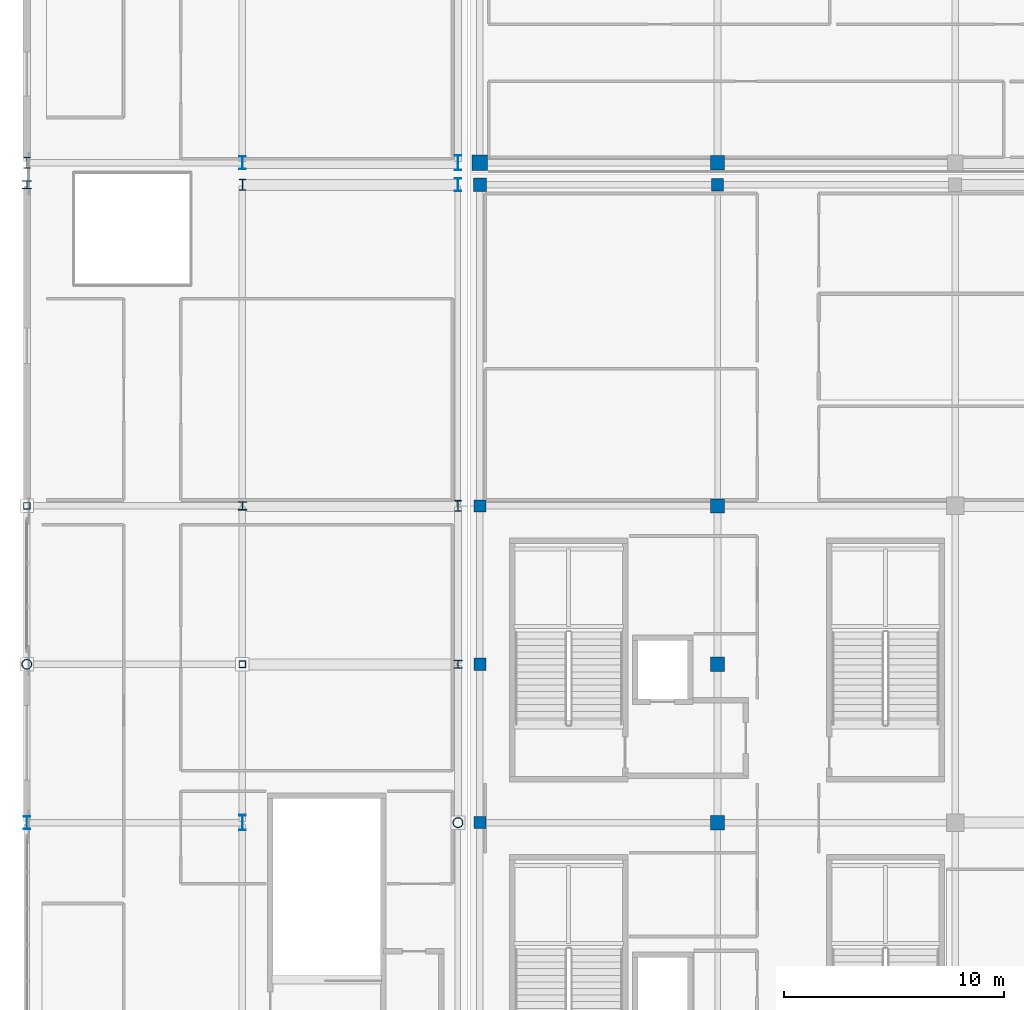
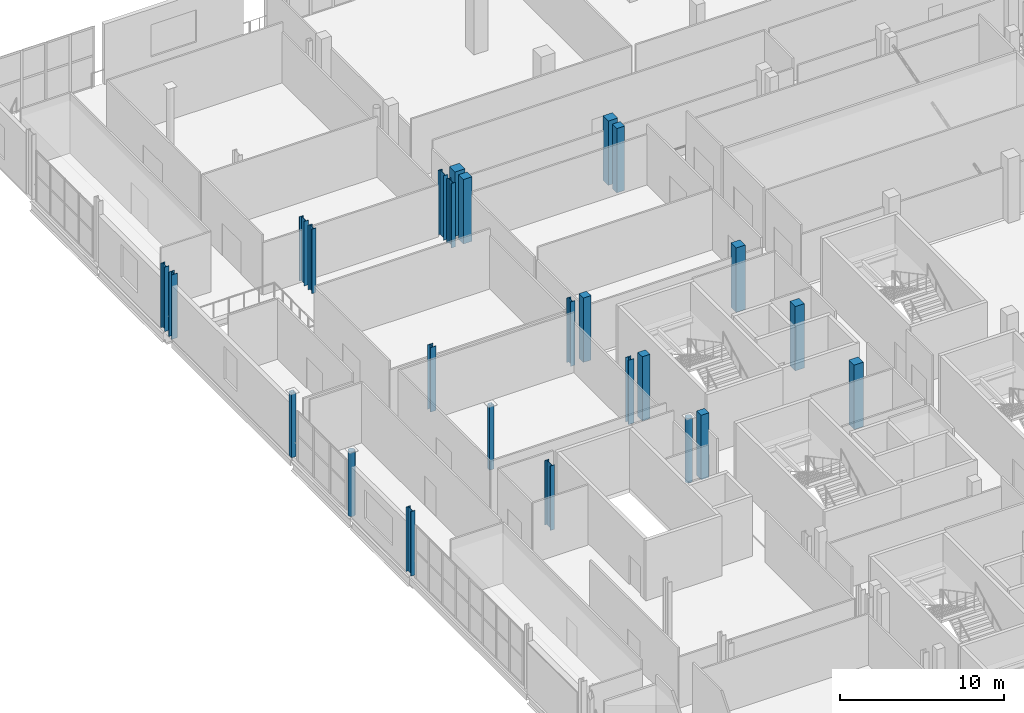
# One storey, part 7 of 142: 25 columns.
"""IFC4 building model written with IfcOpenShell, lengths in metres."""

from ifc_helpers import new_model, si_unit, direction, frame, origin, origin_2d, place, context, subcontext, project, spatial, rectangle, hollow_rectangle, hollow_circle, i_section, extrude, material, material_profile, profile_set, type_object, element, save


model = new_model("IFC4")

# Units and contexts
model_context = context("Model", 3, precision=1e-05, world=origin(), true_north=direction((0.0, 1.0)))
body_context = subcontext(model_context, "Body", "Model", "MODEL_VIEW")
ifc_project = project(units=[si_unit("LENGTHUNIT", "METRE"), si_unit("AREAUNIT", "SQUARE_METRE"), si_unit("VOLUMEUNIT", "CUBIC_METRE"), si_unit("PLANEANGLEUNIT", "RADIAN"), si_unit("MASSUNIT", "GRAM", prefix="KILO")], contexts=[model_context])

# Site, building, storey
site_placement = place(None, origin())
site = spatial("IfcSite", under=ifc_project, at=site_placement, CompositionType="ELEMENT")
building_placement = place(site_placement, origin())
building = spatial("IfcBuilding", under=site, at=building_placement, Name="Koshinbarg Plaza Stadium", CompositionType="ELEMENT")
storey_placement = place(building_placement, frame((0.0, 0.0, 10.199951171875)))
storey = spatial("IfcBuildingStorey", under=building, at=storey_placement, Name="L02", CompositionType="ELEMENT", Elevation=10.199951171875)

# Columns
ifc_material_1 = material(Name="Concrete C40/50", Category="concrete")
ifc_material_profile_1 = material_profile(ifc_material_1, rectangle(XDim=0.550048828125, YDim=0.550048828125, at=origin_2d()), Name="RC 550x550")
ifc_profile_set_1 = profile_set([ifc_material_profile_1], Name="Concrete C40/50")
column_type_1 = type_object("IfcColumnType", Name="COL-RC-03", PredefinedType="COLUMN", material=ifc_profile_set_1)
for number, where, z_axis, x_axis, name in (
    (1, (24.60009765625, 97.5, 0.0), (0.0, 0.0, 1.0), (1.0, 0.0, 0.0), "L02 column 5/N"),
    (2, (24.60009765625, 104.699951171875, 0.0), (0.0, 0.0, 1.0), (1.0, 0.0, 0.0), "L02 column 5/P"),
    (3, (24.60009765625, 111.89990234375, 0.0), (0.0, 0.0, 1.0), (1.0, 0.0, 0.0), "L02 column 5/Q"),
    (4, (35.39990234375, 126.5, 0.0), (0.0, 0.0, 1.0), (1.0, 0.0, 0.0), "L02 column 6/R"),
):
    element("IfcColumn", number, at=place(storey_placement, frame(where, z_axis=z_axis, x_axis=x_axis)), inside=storey, type_object=column_type_1, Name=name, PredefinedType="COLUMN", context=body_context, shape_type="SweptSolid", body=[
        extrude(rectangle(XDim=0.550048828125, YDim=0.550048828125, at=origin_2d()), origin(), (0.0, 0.0, 1.0), 4.800048828125),
    ])
ifc_material_profile_2 = material_profile(ifc_material_1, rectangle(XDim=0.60009765625, YDim=0.60009765625, at=origin_2d()), Name="RC 600x600")
ifc_profile_set_2 = profile_set([ifc_material_profile_2], Name="Concrete C40/50")
column_type_2 = type_object("IfcColumnType", Name="COL-RC-04", PredefinedType="COLUMN", material=ifc_profile_set_2)
column_1_placement = place(storey_placement, frame((24.60009765625, 126.5, 0.0), z_axis=(0.0, 0.0, 1.0), x_axis=(1.0, 0.0, 0.0)))
element("IfcColumn", 5, at=column_1_placement, inside=storey, type_object=column_type_2, Name="L02 column 5/R", PredefinedType="COLUMN", context=body_context, shape_type="SweptSolid", body=[
    extrude(rectangle(XDim=0.60009765625, YDim=0.60009765625, at=origin_2d()), origin(), (0.0, 0.0, 1.0), 4.800048828125),
])
ifc_material_profile_3 = material_profile(ifc_material_1, rectangle(XDim=0.64990234375, YDim=0.64990234375, at=origin_2d()), Name="RC 650x650")
ifc_profile_set_3 = profile_set([ifc_material_profile_3], Name="Concrete C40/50")
column_type_3 = type_object("IfcColumnType", Name="COL-RC-05", PredefinedType="COLUMN", material=ifc_profile_set_3)
for number, where, z_axis, x_axis, name in (
    (6, (35.39990234375, 97.5, 0.0), (0.0, 0.0, 1.0), (1.0, 0.0, 0.0), "L02 column 6/N"),
    (7, (35.39990234375, 104.699951171875, 0.0), (0.0, 0.0, 1.0), (1.0, 0.0, 0.0), "L02 column 6/P"),
    (8, (35.39990234375, 111.89990234375, 0.0), (0.0, 0.0, 1.0), (1.0, 0.0, 0.0), "L02 column 6/Q"),
    (9, (35.39990234375, 127.5, 0.0), (0.0, 0.0, 1.0), (1.0, 0.0, 0.0), "L02 column 6/S"),
):
    element("IfcColumn", number, at=place(storey_placement, frame(where, z_axis=z_axis, x_axis=x_axis)), inside=storey, type_object=column_type_3, Name=name, PredefinedType="COLUMN", context=body_context, shape_type="SweptSolid", body=[
        extrude(rectangle(XDim=0.64990234375, YDim=0.64990234375, at=origin_2d()), origin(), (0.0, 0.0, 1.0), 4.800048828125),
    ])
ifc_material_profile_4 = material_profile(ifc_material_1, rectangle(XDim=0.699951171875, YDim=0.699951171875, at=origin_2d()), Name="RC 700x700")
ifc_profile_set_4 = profile_set([ifc_material_profile_4], Name="Concrete C40/50")
column_type_4 = type_object("IfcColumnType", Name="COL-RC-06", PredefinedType="COLUMN", material=ifc_profile_set_4)
column_2_placement = place(storey_placement, frame((24.60009765625, 127.5, 0.0), z_axis=(0.0, 0.0, 1.0), x_axis=(1.0, 0.0, 0.0)))
element("IfcColumn", 10, at=column_2_placement, inside=storey, type_object=column_type_4, Name="L02 column 5/S", PredefinedType="COLUMN", context=body_context, shape_type="SweptSolid", body=[
    extrude(rectangle(XDim=0.699951171875, YDim=0.699951171875, at=origin_2d()), origin(), (0.0, 0.0, 1.0), 4.800048828125),
])
ifc_material_2 = material(Name="Steel S355", Category="steel")
ifc_material_profile_5 = material_profile(ifc_material_2, i_section(OverallWidth=0.39501953125, OverallDepth=0.3798828125, WebThickness=0.018798828125, FlangeThickness=0.0302734375, at=origin_2d()), Name="HD 400x237")
ifc_profile_set_5 = profile_set([ifc_material_profile_5], Name="Steel S355")
column_type_5 = type_object("IfcColumnType", Name="COL-STL-01", PredefinedType="COLUMN", material=ifc_profile_set_5)
for number, where, z_axis, x_axis, name in (
    (11, (4.0, 126.5, 0.0), (0.0, 0.0, 1.0), (1.0, 0.0, 0.0), "L02 column 2/R"),
    (12, (13.800048828125, 111.89990234375, 0.0), (0.0, 0.0, 1.0), (1.0, 0.0, 0.0), "L02 column 3/Q"),
    (13, (23.60009765625, 104.699951171875, 0.0), (0.0, 0.0, 1.0), (1.0, 0.0, 0.0), "L02 column 4/P"),
):
    element("IfcColumn", number, at=place(storey_placement, frame(where, z_axis=z_axis, x_axis=x_axis)), inside=storey, type_object=column_type_5, Name=name, PredefinedType="COLUMN", context=body_context, shape_type="SweptSolid", body=[
        extrude(i_section(OverallWidth=0.39501953125, OverallDepth=0.3798828125, WebThickness=0.018798828125, FlangeThickness=0.0302734375, at=origin_2d()), origin(), (0.0, 0.0, 1.0), 4.800048828125),
    ])
ifc_material_profile_6 = material_profile(ifc_material_2, i_section(OverallWidth=0.300048828125, OverallDepth=0.5, WebThickness=0.014404296875, FlangeThickness=0.028076171875, at=origin_2d()), Name="HEB 500")
ifc_profile_set_6 = profile_set([ifc_material_profile_6], Name="Steel S355")
column_type_6 = type_object("IfcColumnType", Name="COL-STL-02", PredefinedType="COLUMN", material=ifc_profile_set_6)
for number, where, z_axis, x_axis, name in (
    (14, (4.0, 127.5, 0.0), (0.0, 0.0, 1.0), (1.0, 0.0, 0.0), "L02 column 2/S"),
    (15, (13.800048828125, 126.5, 0.0), (0.0, 0.0, 1.0), (1.0, 0.0, 0.0), "L02 column 3/R"),
    (16, (23.60009765625, 111.89990234375, 0.0), (0.0, 0.0, 1.0), (1.0, 0.0, 0.0), "L02 column 4/Q"),
):
    element("IfcColumn", number, at=place(storey_placement, frame(where, z_axis=z_axis, x_axis=x_axis)), inside=storey, type_object=column_type_6, Name=name, PredefinedType="COLUMN", context=body_context, shape_type="SweptSolid", body=[
        extrude(i_section(OverallWidth=0.300048828125, OverallDepth=0.5, WebThickness=0.014404296875, FlangeThickness=0.028076171875, at=origin_2d()), origin(), (0.0, 0.0, 1.0), 4.800048828125),
    ])
ifc_material_profile_7 = material_profile(ifc_material_2, i_section(OverallWidth=0.300048828125, OverallDepth=0.60009765625, WebThickness=0.015380859375, FlangeThickness=0.030029296875, at=origin_2d()), Name="HEB 600")
ifc_profile_set_7 = profile_set([ifc_material_profile_7], Name="Steel S355")
column_type_7 = type_object("IfcColumnType", Name="COL-STL-03", PredefinedType="COLUMN", material=ifc_profile_set_7)
for number, where, z_axis, x_axis, name in (
    (17, (4.0, 97.5, 0.0), (0.0, 0.0, 1.0), (1.0, 0.0, 0.0), "L02 column 2/N"),
    (18, (13.800048828125, 127.5, 0.0), (0.0, 0.0, 1.0), (1.0, 0.0, 0.0), "L02 column 3/S"),
    (19, (23.60009765625, 126.5, 0.0), (0.0, 0.0, 1.0), (1.0, 0.0, 0.0), "L02 column 4/R"),
):
    element("IfcColumn", number, at=place(storey_placement, frame(where, z_axis=z_axis, x_axis=x_axis)), inside=storey, type_object=column_type_7, Name=name, PredefinedType="COLUMN", context=body_context, shape_type="SweptSolid", body=[
        extrude(i_section(OverallWidth=0.300048828125, OverallDepth=0.60009765625, WebThickness=0.015380859375, FlangeThickness=0.030029296875, at=origin_2d()), origin(), (0.0, 0.0, 1.0), 4.800048828125),
    ])
ifc_material_profile_8 = material_profile(ifc_material_2, i_section(OverallWidth=0.300048828125, OverallDepth=0.699951171875, WebThickness=0.01708984375, FlangeThickness=0.031982421875, at=origin_2d()), Name="HEB 700")
ifc_profile_set_8 = profile_set([ifc_material_profile_8], Name="Steel S355")
column_type_8 = type_object("IfcColumnType", Name="COL-STL-04", PredefinedType="COLUMN", material=ifc_profile_set_8)
for number, where, z_axis, x_axis, name in (
    (20, (13.800048828125, 97.5, 0.0), (0.0, 0.0, 1.0), (1.0, 0.0, 0.0), "L02 column 3/N"),
    (21, (23.60009765625, 127.5, 0.0), (0.0, 0.0, 1.0), (1.0, 0.0, 0.0), "L02 column 4/S"),
):
    element("IfcColumn", number, at=place(storey_placement, frame(where, z_axis=z_axis, x_axis=x_axis)), inside=storey, type_object=column_type_8, Name=name, PredefinedType="COLUMN", context=body_context, shape_type="SweptSolid", body=[
        extrude(i_section(OverallWidth=0.300048828125, OverallDepth=0.699951171875, WebThickness=0.01708984375, FlangeThickness=0.031982421875, at=origin_2d()), origin(), (0.0, 0.0, 1.0), 4.800048828125),
    ])
ifc_material_profile_9 = material_profile(ifc_material_2, hollow_circle(Radius=0.228515625, WallThickness=0.02001953125, at=origin_2d()), Name="CHS 457x20")
ifc_profile_set_9 = profile_set([ifc_material_profile_9], Name="Steel S355")
column_type_9 = type_object("IfcColumnType", Name="COL-STL-05", PredefinedType="COLUMN", material=ifc_profile_set_9)
for number, where, z_axis, x_axis, name in (
    (22, (4.0, 104.699951171875, 0.0), (0.0, 0.0, 1.0), (1.0, 0.0, 0.0), "L02 column 2/P"),
    (23, (23.60009765625, 97.5, 0.0), (0.0, 0.0, 1.0), (1.0, 0.0, 0.0), "L02 column 4/N"),
):
    element("IfcColumn", number, at=place(storey_placement, frame(where, z_axis=z_axis, x_axis=x_axis)), inside=storey, type_object=column_type_9, Name=name, PredefinedType="COLUMN", context=body_context, shape_type="SweptSolid", body=[
        extrude(hollow_circle(Radius=0.228515625, WallThickness=0.02001953125, at=origin_2d()), origin(), (0.0, 0.0, 1.0), 4.800048828125),
    ])
ifc_material_profile_10 = material_profile(ifc_material_2, hollow_rectangle(XDim=0.300048828125, YDim=0.300048828125, WallThickness=0.01611328125, at=origin_2d()), Name="SHS 300x300x16")
ifc_profile_set_10 = profile_set([ifc_material_profile_10], Name="Steel S355")
column_type_10 = type_object("IfcColumnType", Name="COL-STL-06", PredefinedType="COLUMN", material=ifc_profile_set_10)
for number, where, z_axis, x_axis, name in (
    (24, (4.0, 111.89990234375, 0.0), (0.0, 0.0, 1.0), (1.0, 0.0, 0.0), "L02 column 2/Q"),
    (25, (13.800048828125, 104.699951171875, 0.0), (0.0, 0.0, 1.0), (1.0, 0.0, 0.0), "L02 column 3/P"),
):
    element("IfcColumn", number, at=place(storey_placement, frame(where, z_axis=z_axis, x_axis=x_axis)), inside=storey, type_object=column_type_10, Name=name, PredefinedType="COLUMN", context=body_context, shape_type="SweptSolid", body=[
        extrude(hollow_rectangle(XDim=0.300048828125, YDim=0.300048828125, WallThickness=0.01611328125, at=origin_2d()), origin(), (0.0, 0.0, 1.0), 4.800048828125),
    ])

save(model, "model.ifc")
